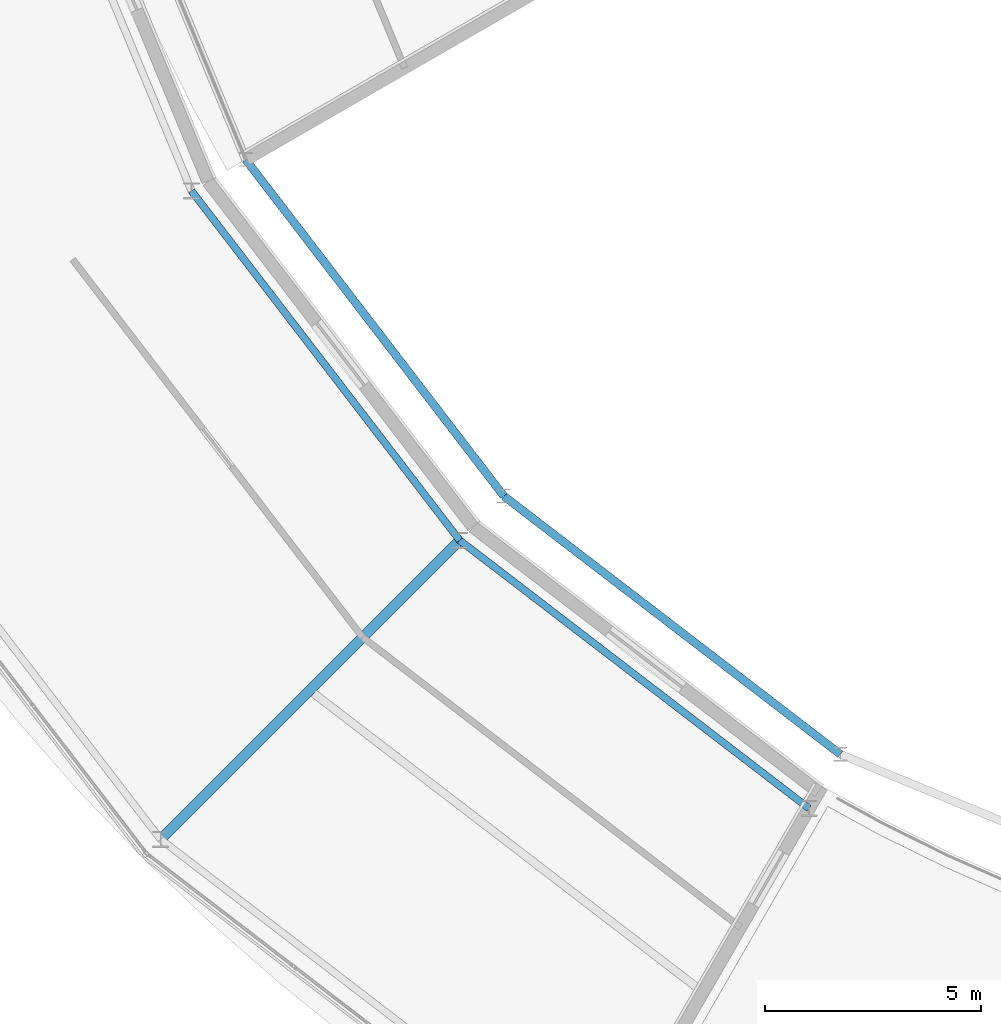
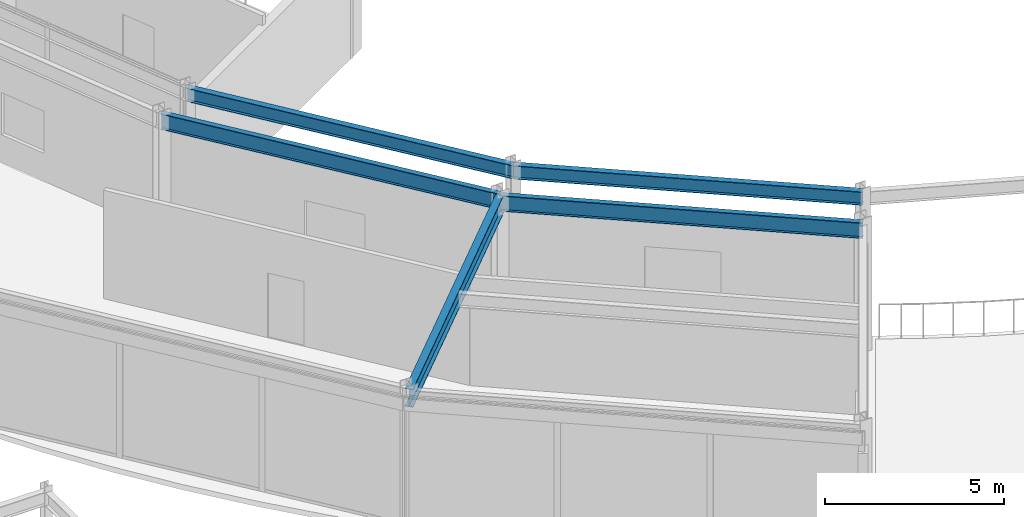
# One storey, part 30 of 157: 5 beams.
"""IFC4 building model written with IfcOpenShell, lengths in metres."""

from ifc_helpers import new_model, si_unit, direction, frame, origin, origin_2d, place, context, subcontext, project, spatial, i_section, extrude, material, material_profile, profile_set, type_object, element, save


model = new_model("IFC4")

# Units and contexts
model_context = context("Model", 3, precision=1e-05, world=origin(), true_north=direction((0.0, 1.0)))
body_context = subcontext(model_context, "Body", "Model", "MODEL_VIEW")
ifc_project = project(units=[si_unit("LENGTHUNIT", "METRE"), si_unit("AREAUNIT", "SQUARE_METRE"), si_unit("VOLUMEUNIT", "CUBIC_METRE"), si_unit("PLANEANGLEUNIT", "RADIAN"), si_unit("MASSUNIT", "GRAM", prefix="KILO")], contexts=[model_context])

# Site, building, storey
site_placement = place(None, origin())
site = spatial("IfcSite", under=ifc_project, at=site_placement, CompositionType="ELEMENT")
building_placement = place(site_placement, origin())
building = spatial("IfcBuilding", under=site, at=building_placement, Name="Almandine Court Research Institute", CompositionType="ELEMENT")
storey_placement = place(building_placement, frame((0.0, 0.0, 5.25)))
storey = spatial("IfcBuildingStorey", under=building, at=storey_placement, Name="L01", CompositionType="ELEMENT", Elevation=5.25)

# Beams
ifc_material = material(Name="Steel ASTM A992 Grade 50", Category="steel")
ifc_material_profile_1 = material_profile(ifc_material, i_section(OverallWidth=0.18994140625, OverallDepth=0.45703125, WebThickness=0.009033203125, FlangeThickness=0.014892578125, at=origin_2d()), Name="W460x74")
ifc_profile_set_1 = profile_set([ifc_material_profile_1], Name="Steel ASTM A992 Grade 50")
beam_type_1 = type_object("IfcBeamType", Name="Beam-B-01", PredefinedType="BEAM", material=ifc_profile_set_1)
for number, where, z_axis, x_axis, name in (
    (1, (54.39404296875, 37.175048828125, 4.14111328125), (0.608711534396, -0.793391623282, 0.0), (0.793391623282, 0.608711534396, 0.0), "L01 Atrium Outer Ring Beam"),
    (2, (60.376953125, 29.376953125, 4.14111328125), (0.793391623282, -0.608711534396, 0.0), (0.608711534396, 0.793391623282, 0.0), "L01 Atrium Outer Ring Beam"),
):
    element("IfcBeam", number, at=place(storey_placement, frame(where, z_axis=z_axis, x_axis=x_axis)), inside=storey, type_object=beam_type_1, Name=name, PredefinedType="BEAM", context=body_context, shape_type="SweptSolid", body=[
        extrude(i_section(OverallWidth=0.18994140625, OverallDepth=0.45703125, WebThickness=0.009033203125, FlangeThickness=0.014892578125, at=origin_2d()), origin(), (0.0, 0.0, 1.0), 9.828857421875),
    ])
ifc_material_profile_2 = material_profile(ifc_material, i_section(OverallWidth=0.22998046875, OverallDepth=0.616943359375, WebThickness=0.012939453125, FlangeThickness=0.02197265625, at=origin_2d()), Name="W610x140")
ifc_profile_set_2 = profile_set([ifc_material_profile_2], Name="Steel ASTM A992 Grade 50")
beam_type_2 = type_object("IfcBeamType", Name="Beam-G-02", PredefinedType="BEAM", material=ifc_profile_set_2)
beam_placement = place(storey_placement, frame((59.35205078125, 28.35205078125, 4.013916015625), z_axis=(-0.707106781187, -0.707106781187, 0.0), x_axis=(0.707106781187, -0.707106781187, 0.0)))
element("IfcBeam", 3, at=beam_placement, inside=storey, type_object=beam_type_2, Name="L01 Drum Radial Girder 15", PredefinedType="BEAM", context=body_context, shape_type="SweptSolid", body=[
    extrude(i_section(OverallWidth=0.22998046875, OverallDepth=0.616943359375, WebThickness=0.012939453125, FlangeThickness=0.02197265625, at=origin_2d()), origin(), (0.0, 0.0, 1.0), 9.80029296875),
])
ifc_material_profile_3 = material_profile(ifc_material, i_section(OverallWidth=0.166015625, OverallDepth=0.534912109375, WebThickness=0.010009765625, FlangeThickness=0.01708984375, at=origin_2d()), Name="W530x85")
ifc_profile_set_3 = profile_set([ifc_material_profile_3], Name="Steel ASTM A992 Grade 50")
beam_type_3 = type_object("IfcBeamType", Name="Beam-G-05-E", PredefinedType="SPANDREL", material=ifc_profile_set_3)
for number, where, z_axis, x_axis, name in (
    (4, (53.137939453125, 36.449951171875, 4.10205078125), (0.608784478787, -0.793335653042, 0.0), (0.793335653042, 0.608784478787, 0.0), "L01 Drum IN Ring Beam 14"),
    (5, (59.35205078125, 28.35205078125, 4.054931640625), (0.793335653042, -0.608784478787, 0.0), (0.608784478787, 0.793335653042, 0.0), "L01 Drum IN Ring Beam 15"),
):
    element("IfcBeam", number, at=place(storey_placement, frame(where, z_axis=z_axis, x_axis=x_axis)), inside=storey, type_object=beam_type_3, Name=name, PredefinedType="SPANDREL", context=body_context, shape_type="SweptSolid", body=[
        extrude(i_section(OverallWidth=0.166015625, OverallDepth=0.534912109375, WebThickness=0.010009765625, FlangeThickness=0.01708984375, at=origin_2d()), origin(), (0.0, 0.0, 1.0), 10.20751953125),
    ])

save(model, "model.ifc")
